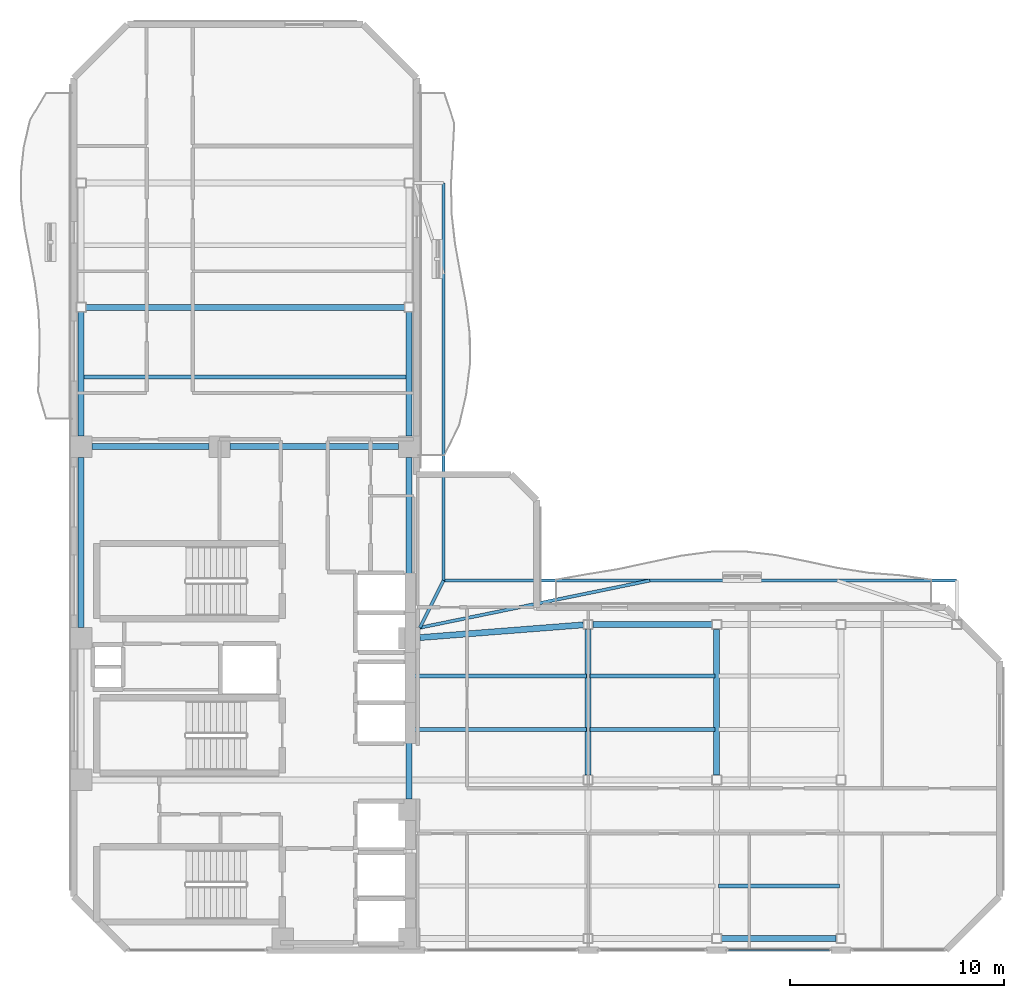
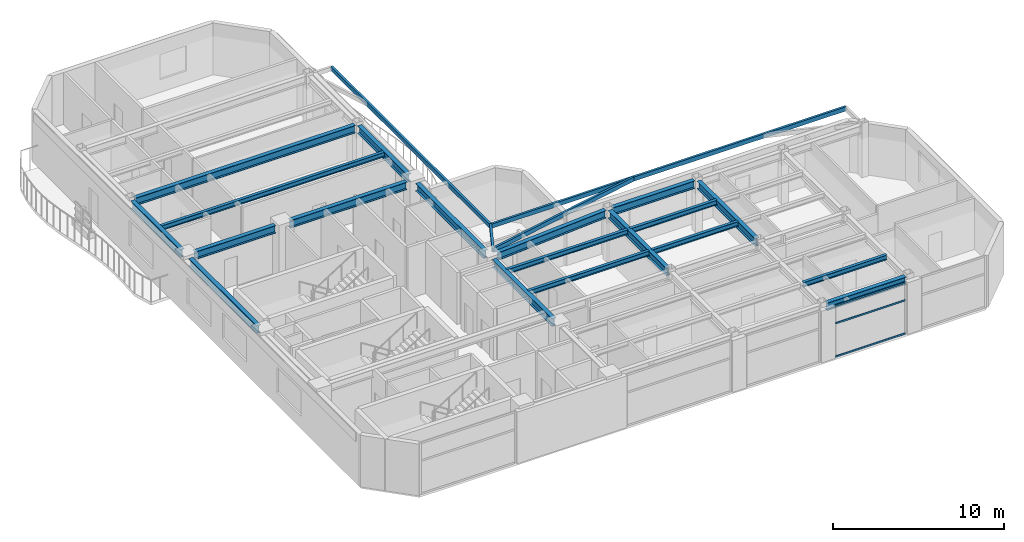
# One storey, part 6 of 16: 23 beams, 3 members, 1 element without a shape of its own.
"""IFC4 building model written with IfcOpenShell, lengths in metres."""

from ifc_helpers import new_model, si_unit, direction, frame, origin, origin_2d, place, context, subcontext, project, spatial, hollow_rectangle, i_section, extrude, material, layer, layer_set, material_profile, profile_set, type_object, element, aggregate, save


model = new_model("IFC4")

# Units and contexts
model_context = context("Model", 3, precision=1e-05, world=origin(), true_north=direction((0.0, 1.0)))
body_context = subcontext(model_context, "Body", "Model", "MODEL_VIEW")
ifc_project = project(units=[si_unit("LENGTHUNIT", "METRE"), si_unit("AREAUNIT", "SQUARE_METRE"), si_unit("VOLUMEUNIT", "CUBIC_METRE"), si_unit("PLANEANGLEUNIT", "RADIAN"), si_unit("MASSUNIT", "GRAM", prefix="KILO")], contexts=[model_context])

# Site, building, storey
site_placement = place(None, origin())
site = spatial("IfcSite", under=ifc_project, at=site_placement, CompositionType="ELEMENT")
building_placement = place(site_placement, origin())
building = spatial("IfcBuilding", under=site, at=building_placement, Name="Mawjaban Terraces University", CompositionType="ELEMENT")
storey_placement = place(building_placement, frame((0.0, 0.0, 230.39990234375)))
storey = spatial("IfcBuildingStorey", under=building, at=storey_placement, Name="L56", CompositionType="ELEMENT", Elevation=230.39990234375)

# Beams
ifc_material_1 = material(Name="Steel EN 10210-1 S355J2H", Category="steel")
ifc_material_profile_1 = material_profile(ifc_material_1, hollow_rectangle(XDim=0.14990234375, YDim=0.300048828125, WallThickness=0.012451171875, at=origin_2d()), Name="RHS300X150X12.5")
ifc_profile_set_1 = profile_set([ifc_material_profile_1], Name="Steel EN 10210-1 S355J2H")
beam_type_1 = type_object("IfcBeamType", Name="BalconyCantileverSpandrel_RHS", PredefinedType="SPANDREL", material=ifc_profile_set_1)
beam_1_placement = place(storey_placement, frame((38.14990234375, 15.050048828125, 3.5400390625), z_axis=(0.447253297971, 0.894407338663, 0.0), x_axis=(-0.894407338663, 0.447253297971, 0.0)))
element("IfcBeam", 1, at=beam_1_placement, inside=storey, type_object=beam_type_1, Name="L56 Corner Outrigger BAL-L57-N", PredefinedType="SPANDREL", context=body_context, shape_type="SweptSolid", body=[
    extrude(hollow_rectangle(XDim=0.14990234375, YDim=0.300048828125, WallThickness=0.012451171875, at=origin_2d()), origin(), (0.0, 0.0, 1.0), 2.459716796875),
])
beam_2_placement = place(storey_placement, frame((39.25, 17.25, 3.5400390625), z_axis=(1.0, 0.0, 0.0), x_axis=(0.0, 1.0, 0.0)))
element("IfcBeam", 2, at=beam_2_placement, inside=storey, type_object=beam_type_1, Name="L56 Exterior Edge Spandrel BAL-L57-N", PredefinedType="SPANDREL", context=body_context, shape_type="SweptSolid", body=[
    extrude(hollow_rectangle(XDim=0.14990234375, YDim=0.300048828125, WallThickness=0.012451171875, at=origin_2d()), origin(), (0.0, 0.0, 1.0), 23.949951171875),
])
beam_3_placement = place(storey_placement, frame((38.14990234375, 15.050048828125, 3.5400390625), z_axis=(0.979603938686, 0.200938108161, 0.0), x_axis=(-0.200938108161, 0.979603938686, 0.0)))
element("IfcBeam", 3, at=beam_3_placement, inside=storey, type_object=beam_type_1, Name="L56 Exterior Diagonal Strut BAL-L57-N.1", PredefinedType="SPANDREL", context=body_context, shape_type="SweptSolid", body=[
    extrude(hollow_rectangle(XDim=0.14990234375, YDim=0.300048828125, WallThickness=0.012451171875, at=origin_2d()), origin(), (0.0, 0.0, 1.0), 10.948486328125),
])
beam_4_placement = place(storey_placement, frame((39.25, 17.25, 3.5400390625), z_axis=(0.0, 1.0, 0.0), x_axis=(-1.0, 0.0, 0.0)))
element("IfcBeam", 4, at=beam_4_placement, inside=storey, type_object=beam_type_1, Name="L56 Exterior Edge Spandrel BAL-L57-E", PredefinedType="SPANDREL", context=body_context, shape_type="SweptSolid", body=[
    extrude(hollow_rectangle(XDim=0.14990234375, YDim=0.300048828125, WallThickness=0.012451171875, at=origin_2d()), origin(), (0.0, 0.0, 1.0), 18.550048828125),
])
ifc_material_2 = material(Name="Steel ASTM A572 Grade 50", Category="steel")
ifc_material_profile_2 = material_profile(ifc_material_2, i_section(OverallWidth=0.281005859375, OverallDepth=0.551025390625, WebThickness=0.01513671875, FlangeThickness=0.02587890625, at=origin_2d()), Name="W530X182")
ifc_profile_set_2 = profile_set([ifc_material_profile_2], Name="Steel ASTM A572 Grade 50")
beam_type_2 = type_object("IfcBeamType", Name="Beam_B_W530X182", PredefinedType="BEAM", material=ifc_profile_set_2)
beam_5_placement = place(storey_placement, frame((52.22509765625, 0.550048828125, 3.4150390625), z_axis=(1.0, 0.0, 0.0), x_axis=(0.0, 1.0, 0.0)))
element("IfcBeam", 5, at=beam_5_placement, inside=storey, type_object=beam_type_2, Name="L56 Beam BM-L56-EW-03", PredefinedType="BEAM", context=body_context, shape_type="SweptSolid", body=[
    extrude(i_section(OverallWidth=0.281005859375, OverallDepth=0.551025390625, WebThickness=0.01513671875, FlangeThickness=0.02587890625, at=origin_2d()), origin(), (0.0, 0.0, 1.0), 5.349853515625),
])
beam_6_placement = place(storey_placement, frame((46.22509765625, 15.199951171875, 3.4150390625), z_axis=(1.0, 0.0, 0.0), x_axis=(0.0, 1.0, 0.0)))
element("IfcBeam", 6, at=beam_6_placement, inside=storey, type_object=beam_type_2, Name="L56 Beam BM-L56-EW-07", PredefinedType="BEAM", context=body_context, shape_type="SweptSolid", body=[
    extrude(i_section(OverallWidth=0.281005859375, OverallDepth=0.551025390625, WebThickness=0.01513671875, FlangeThickness=0.02587890625, at=origin_2d()), origin(), (0.0, 0.0, 1.0), 5.5498046875),
])
beam_7_placement = place(storey_placement, frame((22.85009765625, 23.5, 3.4150390625), z_axis=(1.0, 0.0, 0.0), x_axis=(0.0, 1.0, 0.0)))
element("IfcBeam", 7, at=beam_7_placement, inside=storey, type_object=beam_type_2, Name="L56 Beam BM-L56-EW-10", PredefinedType="BEAM", context=body_context, shape_type="SweptSolid", body=[
    extrude(i_section(OverallWidth=0.281005859375, OverallDepth=0.551025390625, WebThickness=0.01513671875, FlangeThickness=0.02587890625, at=origin_2d()), origin(), (0.0, 0.0, 1.0), 5.449951171875),
])
beam_8_placement = place(storey_placement, frame((29.300048828125, 23.5, 3.4150390625), z_axis=(1.0, 0.0, 0.0), x_axis=(0.0, 1.0, 0.0)))
element("IfcBeam", 8, at=beam_8_placement, inside=storey, type_object=beam_type_2, Name="L56 Beam BM-L56-EW-11", PredefinedType="BEAM", context=body_context, shape_type="SweptSolid", body=[
    extrude(i_section(OverallWidth=0.281005859375, OverallDepth=0.551025390625, WebThickness=0.01513671875, FlangeThickness=0.02587890625, at=origin_2d()), origin(), (0.0, 0.0, 1.0), 7.849853515625),
])
beam_9_placement = place(storey_placement, frame((22.574951171875, 30.0, 3.4150390625), z_axis=(1.0, 0.0, 0.0), x_axis=(0.0, 1.0, 0.0)))
element("IfcBeam", 9, at=beam_9_placement, inside=storey, type_object=beam_type_2, Name="L56 Beam BM-L56-EW-12", PredefinedType="BEAM", context=body_context, shape_type="SweptSolid", body=[
    extrude(i_section(OverallWidth=0.281005859375, OverallDepth=0.551025390625, WebThickness=0.01513671875, FlangeThickness=0.02587890625, at=origin_2d()), origin(), (0.0, 0.0, 1.0), 14.85009765625),
])
beam_10_placement = place(storey_placement, frame((22.35009765625, 15.050048828125, 3.4150390625), z_axis=(0.0, 1.0, 0.0), x_axis=(-1.0, 0.0, 0.0)))
element("IfcBeam", 10, at=beam_10_placement, inside=storey, type_object=beam_type_2, Name="L56 Beam BM-L56-NS-02", PredefinedType="BEAM", context=body_context, shape_type="SweptSolid", body=[
    extrude(i_section(OverallWidth=0.281005859375, OverallDepth=0.551025390625, WebThickness=0.01513671875, FlangeThickness=0.02587890625, at=origin_2d()), origin(), (0.0, 0.0, 1.0), 7.949951171875),
])
beam_11_placement = place(storey_placement, frame((22.35009765625, 24.0, 3.4150390625), z_axis=(0.0, 1.0, 0.0), x_axis=(-1.0, 0.0, 0.0)))
element("IfcBeam", 11, at=beam_11_placement, inside=storey, type_object=beam_type_2, Name="L56 Beam BM-L56-NS-03", PredefinedType="BEAM", context=body_context, shape_type="SweptSolid", body=[
    extrude(i_section(OverallWidth=0.281005859375, OverallDepth=0.551025390625, WebThickness=0.01513671875, FlangeThickness=0.02587890625, at=origin_2d()), origin(), (0.0, 0.0, 1.0), 5.77490234375),
])
beam_12_placement = place(storey_placement, frame((37.64990234375, 7.050048828125, 3.4150390625), z_axis=(0.0, 1.0, 0.0), x_axis=(-1.0, 0.0, 0.0)))
element("IfcBeam", 12, at=beam_12_placement, inside=storey, type_object=beam_type_2, Name="L56 Beam BM-L56-NS-06", PredefinedType="BEAM", context=body_context, shape_type="SweptSolid", body=[
    extrude(i_section(OverallWidth=0.281005859375, OverallDepth=0.551025390625, WebThickness=0.01513671875, FlangeThickness=0.02587890625, at=origin_2d()), origin(), (0.0, 0.0, 1.0), 7.0),
])
beam_13_placement = place(storey_placement, frame((37.64990234375, 15.050048828125, 3.4150390625), z_axis=(0.0, 1.0, 0.0), x_axis=(-1.0, 0.0, 0.0)))
element("IfcBeam", 13, at=beam_13_placement, inside=storey, type_object=beam_type_2, Name="L56 Beam BM-L56-NS-07", PredefinedType="BEAM", context=body_context, shape_type="SweptSolid", body=[
    extrude(i_section(OverallWidth=0.281005859375, OverallDepth=0.551025390625, WebThickness=0.01513671875, FlangeThickness=0.02587890625, at=origin_2d()), origin(), (0.0, 0.0, 1.0), 7.949951171875),
])
beam_14_placement = place(storey_placement, frame((37.64990234375, 24.0, 3.4150390625), z_axis=(0.0, 1.0, 0.0), x_axis=(-1.0, 0.0, 0.0)))
element("IfcBeam", 14, at=beam_14_placement, inside=storey, type_object=beam_type_2, Name="L56 Beam BM-L56-NS-08", PredefinedType="BEAM", context=body_context, shape_type="SweptSolid", body=[
    extrude(i_section(OverallWidth=0.281005859375, OverallDepth=0.551025390625, WebThickness=0.01513671875, FlangeThickness=0.02587890625, at=origin_2d()), origin(), (0.0, 0.0, 1.0), 5.77490234375),
])
for number, where, z_axis, x_axis, name in (
    (15, (46.0, 8.175048828125, 3.4150390625), (0.0, 1.0, 0.0), (-1.0, 0.0, 0.0), "L56 Beam BM-L56-NS-11"),
    (16, (52.0, 8.175048828125, 3.4150390625), (0.0, 1.0, 0.0), (-1.0, 0.0, 0.0), "L56 Beam BM-L56-NS-13"),
):
    element("IfcBeam", number, at=place(storey_placement, frame(where, z_axis=z_axis, x_axis=x_axis)), inside=storey, type_object=beam_type_2, Name=name, PredefinedType="BEAM", context=body_context, shape_type="SweptSolid", body=[
        extrude(i_section(OverallWidth=0.281005859375, OverallDepth=0.551025390625, WebThickness=0.01513671875, FlangeThickness=0.02587890625, at=origin_2d()), origin(), (0.0, 0.0, 1.0), 6.800048828125),
    ])
beam_15_placement = place(storey_placement, frame((38.14794921875, 14.589111328125, 3.4150390625), z_axis=(0.99698177718, 0.077635919341, 0.0), x_axis=(-0.077635919341, 0.99698177718, 0.0)))
element("IfcBeam", 17, at=beam_15_placement, inside=storey, type_object=beam_type_2, Name="L56 Beam BM-L56-CTIE", PredefinedType="BEAM", context=body_context, shape_type="SweptSolid", body=[
    extrude(i_section(OverallWidth=0.281005859375, OverallDepth=0.551025390625, WebThickness=0.01513671875, FlangeThickness=0.02587890625, at=origin_2d()), origin(), (0.0, 0.0, 1.0), 7.651123046875),
])
ifc_material_profile_3 = material_profile(ifc_material_2, i_section(OverallWidth=0.202880859375, OverallDepth=0.346923828125, WebThickness=0.0078125, FlangeThickness=0.013427734375, at=origin_2d()), Name="W360X64")
ifc_profile_set_3 = profile_set([ifc_material_profile_3], Name="Steel ASTM A572 Grade 50")
beam_type_3 = type_object("IfcBeamType", Name="Beam_J_W360X64", PredefinedType="JOIST", material=ifc_profile_set_3)
beam_16_placement = place(storey_placement, frame((52.080078125, 3.0, 3.51708984375), z_axis=(1.0, 0.0, 0.0), x_axis=(0.0, 1.0, 0.0)))
element("IfcBeam", 18, at=beam_16_placement, inside=storey, type_object=beam_type_3, Name="L56 Composite Joist JST-L56-03", PredefinedType="JOIST", context=body_context, shape_type="SweptSolid", body=[
    extrude(i_section(OverallWidth=0.202880859375, OverallDepth=0.346923828125, WebThickness=0.0078125, FlangeThickness=0.013427734375, at=origin_2d()), origin(), (0.0, 0.0, 1.0), 5.639892578125),
])
beam_17_placement = place(storey_placement, frame((37.72998046875, 10.300048828125, 3.51708984375), z_axis=(1.0, 0.0, 0.0), x_axis=(0.0, 1.0, 0.0)))
element("IfcBeam", 19, at=beam_17_placement, inside=storey, type_object=beam_type_3, Name="L56 Composite Joist JST-L56-07", PredefinedType="JOIST", context=body_context, shape_type="SweptSolid", body=[
    extrude(i_section(OverallWidth=0.202880859375, OverallDepth=0.346923828125, WebThickness=0.0078125, FlangeThickness=0.013427734375, at=origin_2d()), origin(), (0.0, 0.0, 1.0), 8.18994140625),
])
beam_18_placement = place(storey_placement, frame((46.080078125, 10.300048828125, 3.51708984375), z_axis=(1.0, 0.0, 0.0), x_axis=(0.0, 1.0, 0.0)))
element("IfcBeam", 20, at=beam_18_placement, inside=storey, type_object=beam_type_3, Name="L56 Composite Joist JST-L56-08", PredefinedType="JOIST", context=body_context, shape_type="SweptSolid", body=[
    extrude(i_section(OverallWidth=0.202880859375, OverallDepth=0.346923828125, WebThickness=0.0078125, FlangeThickness=0.013427734375, at=origin_2d()), origin(), (0.0, 0.0, 1.0), 5.83984375),
])
beam_19_placement = place(storey_placement, frame((37.72998046875, 12.800048828125, 3.51708984375), z_axis=(1.0, 0.0, 0.0), x_axis=(0.0, 1.0, 0.0)))
element("IfcBeam", 21, at=beam_19_placement, inside=storey, type_object=beam_type_3, Name="L56 Composite Joist JST-L56-10", PredefinedType="JOIST", context=body_context, shape_type="SweptSolid", body=[
    extrude(i_section(OverallWidth=0.202880859375, OverallDepth=0.346923828125, WebThickness=0.0078125, FlangeThickness=0.013427734375, at=origin_2d()), origin(), (0.0, 0.0, 1.0), 8.18994140625),
])
beam_20_placement = place(storey_placement, frame((46.080078125, 12.800048828125, 3.51708984375), z_axis=(1.0, 0.0, 0.0), x_axis=(0.0, 1.0, 0.0)))
element("IfcBeam", 22, at=beam_20_placement, inside=storey, type_object=beam_type_3, Name="L56 Composite Joist JST-L56-11", PredefinedType="JOIST", context=body_context, shape_type="SweptSolid", body=[
    extrude(i_section(OverallWidth=0.202880859375, OverallDepth=0.346923828125, WebThickness=0.0078125, FlangeThickness=0.013427734375, at=origin_2d()), origin(), (0.0, 0.0, 1.0), 5.83984375),
])
beam_21_placement = place(storey_placement, frame((22.429931640625, 26.75, 3.51708984375), z_axis=(1.0, 0.0, 0.0), x_axis=(0.0, 1.0, 0.0)))
element("IfcBeam", 23, at=beam_21_placement, inside=storey, type_object=beam_type_3, Name="L56 Composite Joist JST-L56-13", PredefinedType="JOIST", context=body_context, shape_type="SweptSolid", body=[
    extrude(i_section(OverallWidth=0.202880859375, OverallDepth=0.346923828125, WebThickness=0.0078125, FlangeThickness=0.013427734375, at=origin_2d()), origin(), (0.0, 0.0, 1.0), 15.14013671875),
])

# Curtain wall, members
ifc_material_3 = material(Name="Anodised aluminium 6063-T6 and solar-control low-E glass", Category="aluminium")
ifc_layer = layer(ifc_material_3, 0.159912109375)
ifc_layer_set = layer_set([ifc_layer], Name="Anodised aluminium 6063-T6 and solar-control low-E glass")
curtain_wall_type = type_object("IfcCurtainWallType", Name="CWSystem_03_NorthWing", PredefinedType="NOTDEFINED", material=ifc_layer_set)
curtain_wall_placement = place(storey_placement, origin())
curtain_wall = element("IfcCurtainWall", 24, at=curtain_wall_placement, inside=storey, type_object=curtain_wall_type, Name="L56 Curtain Wall CW-03 Run 1.4", PredefinedType="NOTDEFINED")
ifc_material_4 = material(Name="Anodised aluminium 6063-T6", Category="aluminium")
ifc_material_profile_4 = material_profile(ifc_material_4, hollow_rectangle(XDim=0.06005859375, YDim=0.1201171875, WallThickness=0.00341796875, at=origin_2d()), Name="ALU120X60X3.5")
ifc_profile_set_4 = profile_set([ifc_material_profile_4], Name="Anodised aluminium 6063-T6")
member_type = type_object("IfcMemberType", Name="Transom_CW-03", PredefinedType="NOTDEFINED", material=ifc_profile_set_4)
member_1_placement = place(storey_placement, frame((52.5400390625, 0.0, 0.030029296875), z_axis=(1.0, 0.0, 0.0), x_axis=(0.0, 1.0, 0.0)))
member_1 = element("IfcMember", 25, at=member_1_placement, type_object=member_type, Name="CW-03 transom 1.1", ObjectType="TRANSOM", PredefinedType="USERDEFINED", context=body_context, shape_type="SweptSolid", body=[
    extrude(hollow_rectangle(XDim=0.06005859375, YDim=0.1201171875, WallThickness=0.00341796875, at=origin_2d()), origin(), (0.0, 0.0, 1.0), 4.719970703125),
])
member_2_placement = place(storey_placement, frame((52.5400390625, 0.0, 2.398193359375), z_axis=(1.0, 0.0, 0.0), x_axis=(0.0, 1.0, 0.0)))
member_2 = element("IfcMember", 26, at=member_2_placement, type_object=member_type, Name="CW-03 transom 1.2", ObjectType="TRANSOM", PredefinedType="USERDEFINED", context=body_context, shape_type="SweptSolid", body=[
    extrude(hollow_rectangle(XDim=0.06005859375, YDim=0.1201171875, WallThickness=0.00341796875, at=origin_2d()), origin(), (0.0, 0.0, 1.0), 4.719970703125),
])
member_3_placement = place(storey_placement, frame((52.5400390625, 0.0, 3.66015625), z_axis=(1.0, 0.0, 0.0), x_axis=(0.0, 1.0, 0.0)))
member_3 = element("IfcMember", 27, at=member_3_placement, type_object=member_type, Name="CW-03 transom 1.3", ObjectType="TRANSOM", PredefinedType="USERDEFINED", context=body_context, shape_type="SweptSolid", body=[
    extrude(hollow_rectangle(XDim=0.06005859375, YDim=0.1201171875, WallThickness=0.00341796875, at=origin_2d()), origin(), (0.0, 0.0, 1.0), 4.719970703125),
])
aggregate(curtain_wall, [member_1, member_2, member_3])

save(model, "model.ifc")
